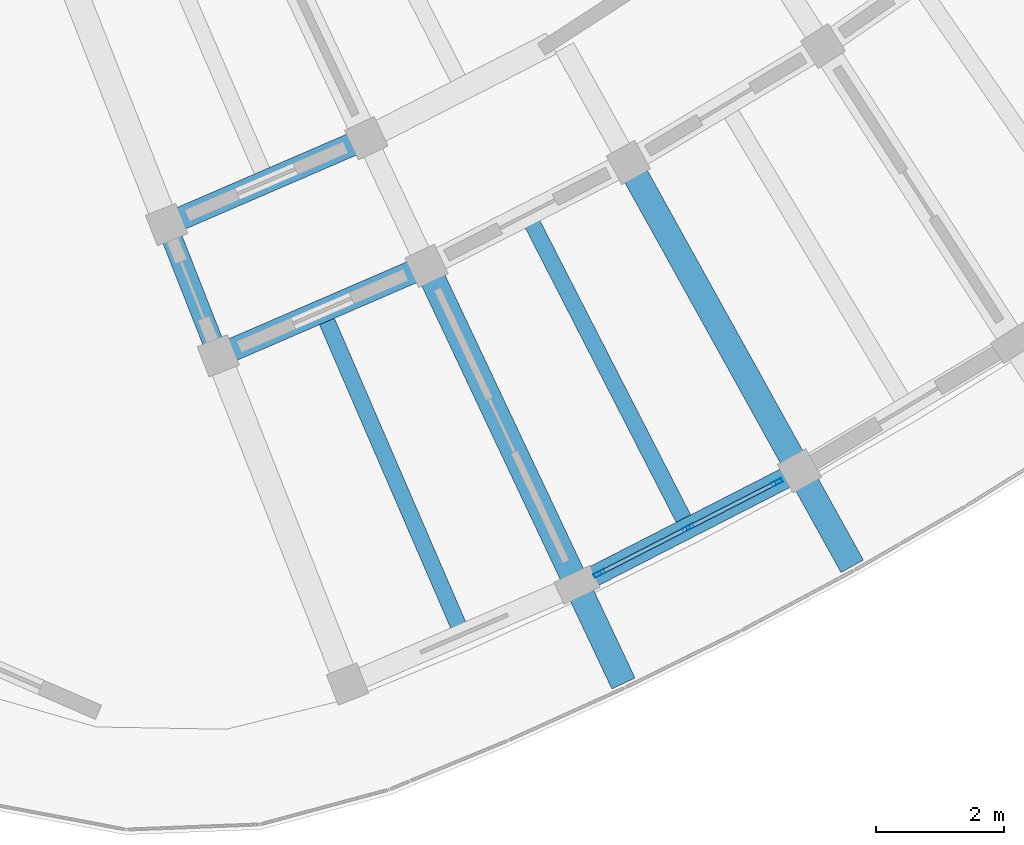
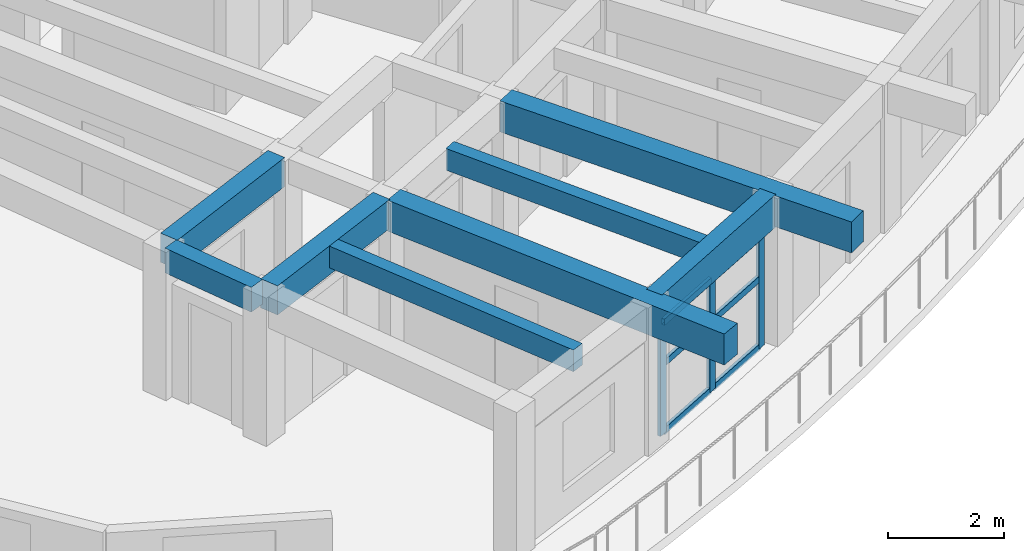
# One storey, part 20 of 83: 9 members, 8 beams, 1 element without a shape of its own.
"""IFC4 building model written with IfcOpenShell, lengths in metres."""

import ifcopenshell
import ifcopenshell.guid

model = None  # the IFC model being written
_history = None  # IfcOwnerHistory: only IFC2X3 demands one
_inside = {}  # id of a spatial element -> (the spatial element, [elements in it])
_under = {}  # id of a project, library or spatial element -> (it, [spatial elements below it])
_declared = {}  # id of a project -> (the project, [libraries it declares])
_typed = {}  # id of a type object -> (the type object, [elements of that type])
_made_of = {}  # id of a material, layer set ... -> (it, [elements and type objects made of it])


def new_model(schema):
    """Start an empty IFC model of exactly this schema.

    Asked for "IFC4X3", IfcOpenShell would pick the latest addendum, in which some entities
    have other attributes; the version numbers below select the first issue.
    IFC2X3 requires an IfcOwnerHistory on every rooted entity: one is made here for all.
    """
    global model, _history
    if schema == "IFC4X3":
        model = ifcopenshell.file(schema_version=(4, 3, 0, 0))
    else:
        model = ifcopenshell.file(schema=schema)
    _inside.clear()
    _under.clear()
    _declared.clear()
    _typed.clear()
    _made_of.clear()
    _history = None
    if model.schema == "IFC2X3":
        org = make("IfcOrganization", Name="unknown")
        user = make(
            "IfcPersonAndOrganization",
            ThePerson=make("IfcPerson", FamilyName="unknown"),
            TheOrganization=org,
        )
        app = make(
            "IfcApplication",
            ApplicationDeveloper=org,
            Version="unknown",
            ApplicationFullName="unknown",
            ApplicationIdentifier="unknown",
        )
        _history = make(
            "IfcOwnerHistory",
            OwningUser=user,
            OwningApplication=app,
            ChangeAction="ADDED",
            CreationDate=0,
        )
    return model


def make(cls, **values):
    """One entity of the class cls with the attributes given. An attribute that is None is left unset."""
    return model.create_entity(
        cls, **{name: value for name, value in values.items() if value is not None}
    )


def rooted(cls, **values):
    """An entity with a GlobalId (a new one), such as an element, a storey or a relation."""
    return make(cls, GlobalId=ifcopenshell.guid.new(), OwnerHistory=_history, **values)


def si_unit(unit_type, name, prefix=None):
    """IfcSIUnit, for example si_unit("LENGTHUNIT", "METRE", prefix="MILLI")."""
    return make("IfcSIUnit", UnitType=unit_type, Prefix=prefix, Name=name)


def assignment(units):
    """IfcUnitAssignment: the units of a project."""
    return None if units is None else make("IfcUnitAssignment", Units=units)


def point(xyz):
    """IfcCartesianPoint."""
    return None if xyz is None else make("IfcCartesianPoint", Coordinates=xyz)


def direction(xyz):
    """IfcDirection."""
    return None if xyz is None else make("IfcDirection", DirectionRatios=xyz)


def frame(location, z_axis=None, x_axis=None):
    """IfcAxis2Placement3D, a coordinate frame: its origin and axes. An axis left out is left unset."""
    return make(
        "IfcAxis2Placement3D",
        Location=point(location),
        Axis=direction(z_axis),
        RefDirection=direction(x_axis),
    )


def frame_2d(location, x_axis=None):
    """IfcAxis2Placement2D, a coordinate frame in the plane: its origin and x axis."""
    return make(
        "IfcAxis2Placement2D", Location=point(location), RefDirection=direction(x_axis)
    )


def origin():
    """The frame at (0, 0, 0) with its axes left unset."""
    return frame((0.0, 0.0, 0.0))


def origin_2d():
    """The frame at (0, 0) in the plane with its x axis left unset."""
    return frame_2d((0.0, 0.0))


def place(relative_to, where):
    """IfcLocalPlacement: puts the frame where relative to a parent placement (None: the world)."""
    return make(
        "IfcLocalPlacement", PlacementRelTo=relative_to, RelativePlacement=where
    )


def context(
    kind, dimensions, precision=None, world=None, true_north=None, identifier=None
):
    """IfcGeometricRepresentationContext, for example the 3D "Model" context."""
    return make(
        "IfcGeometricRepresentationContext",
        ContextIdentifier=identifier,
        ContextType=kind,
        CoordinateSpaceDimension=dimensions,
        Precision=precision,
        WorldCoordinateSystem=world,
        TrueNorth=true_north,
    )


def subcontext(parent, identifier, kind, view, scale=None):
    """IfcGeometricRepresentationSubContext, for example "Body" below "Model"."""
    return make(
        "IfcGeometricRepresentationSubContext",
        ContextIdentifier=identifier,
        ContextType=kind,
        ParentContext=parent,
        TargetScale=scale,
        TargetView=view,
    )


def project(units=None, contexts=None):
    """IfcProject with its units and contexts."""
    return rooted(
        "IfcProject",
        Name="project",
        RepresentationContexts=contexts,
        UnitsInContext=assignment(units),
    )


def spatial(cls, under=None, at=None, **own):
    """A site, building, storey or space (cls), placed at a placement, below another one or the project."""
    s = rooted(cls, ObjectPlacement=at, **own)
    if under is not None:
        _under.setdefault(under.id(), (under, []))[1].append(s)
    return s


def profile(cls, at=None, kind="AREA", **sizes):
    """A parametric profile (cls). Its sizes go by their IFC names, for example OverallWidth=200.0."""
    return make(cls, ProfileType=kind, Position=at, **sizes)


def rectangle(**sizes):
    """IfcRectangleProfileDef."""
    return profile("IfcRectangleProfileDef", **sizes)


def hollow_rectangle(**sizes):
    """IfcRectangleHollowProfileDef."""
    return profile("IfcRectangleHollowProfileDef", **sizes)


def extrude(swept, where, along, depth):
    """IfcExtrudedAreaSolid: the profile swept, set in the frame where, extruded along a direction by depth."""
    return make(
        "IfcExtrudedAreaSolid",
        SweptArea=swept,
        Position=where,
        ExtrudedDirection=direction(along),
        Depth=depth,
    )


def shape(context_of_items, identifier, shape_type, items):
    """IfcShapeRepresentation: the items that make up one representation, for example the "Body"."""
    return make(
        "IfcShapeRepresentation",
        ContextOfItems=context_of_items,
        RepresentationIdentifier=identifier,
        RepresentationType=shape_type,
        Items=items,
    )


def material(Name=None, Category=None):
    """IfcMaterial."""
    return make("IfcMaterial", Name=Name, Category=Category)


def material_profile(
    of_material, cross_section, Name=None, Category=None, Priority=None
):
    """IfcMaterialProfile: a cross section and its material."""
    return make(
        "IfcMaterialProfile",
        Name=Name,
        Material=of_material,
        Profile=cross_section,
        Priority=Priority,
        Category=Category,
    )


def profile_set(profiles, Name=None, composite=None):
    """IfcMaterialProfileSet."""
    return make(
        "IfcMaterialProfileSet",
        Name=Name,
        MaterialProfiles=profiles,
        CompositeProfile=composite,
    )


def made_of(thing, what):
    """Note that an element or type object is made of a material, layer set ...; save() writes the relation."""
    if what is not None:
        _made_of.setdefault(what.id(), (what, []))[1].append(thing)
    return thing


def type_object(cls, material=None, **own):
    """A type object (cls), such as IfcWallType, which elements share."""
    return made_of(rooted(cls, **own), material)


def element(
    cls,
    number,
    at=None,
    inside=None,
    cuts=None,
    type_object=None,
    material=None,
    context=None,
    identifier="Body",
    shape_type=None,
    held_by="IfcProductDefinitionShape",
    body=None,
    shapes=None,
    **own,
):
    """One element of the class cls, such as IfcWall. Its Tag is "e" and its number.

    at: its placement. inside: the storey or other place that contains it. cuts: it is an
    opening in that element (IfcRelVoidsElement). A single representation is given by context,
    identifier, shape_type and body (its items); several are given by shapes. held_by: the class
    of the entity that holds the representations. save() writes the other relations.
    """
    e = rooted(cls, Tag="e%d" % number, ObjectPlacement=at, **own)
    if body is not None:
        shapes = [shape(context, identifier, shape_type, body)]
    if shapes is not None:
        e.Representation = make(held_by, Representations=shapes)
    if inside is not None:
        _inside.setdefault(inside.id(), (inside, []))[1].append(e)
    if cuts is not None:
        rooted(
            "IfcRelVoidsElement", RelatingBuildingElement=cuts, RelatedOpeningElement=e
        )
    if type_object is not None:
        _typed.setdefault(type_object.id(), (type_object, []))[1].append(e)
    return made_of(e, material)


def aggregate(whole, parts):
    """IfcRelAggregates: a whole, such as a stair, and the parts it consists of."""
    return rooted("IfcRelAggregates", RelatingObject=whole, RelatedObjects=parts)


def save(model, path):
    """Write the relations noted so far, then the file.

    IfcRelAggregates (storeys below a building ...), IfcRelContainedInSpatialStructure (elements
    in a storey), IfcRelDefinesByType, IfcRelAssociatesMaterial and IfcRelDeclares: one each for
    every whole, place, type object, material and project.
    """
    for whole, parts in _under.values():
        aggregate(whole, parts)
    for where, things in _inside.values():
        rooted(
            "IfcRelContainedInSpatialStructure",
            RelatedElements=things,
            RelatingStructure=where,
        )
    for kind, things in _typed.values():
        rooted("IfcRelDefinesByType", RelatedObjects=things, RelatingType=kind)
    for what, things in _made_of.values():
        rooted("IfcRelAssociatesMaterial", RelatedObjects=things, RelatingMaterial=what)
    for by, libraries in _declared.values():
        rooted("IfcRelDeclares", RelatingContext=by, RelatedDefinitions=libraries)
    model.write(path)


model = new_model("IFC4")

# Units and contexts
model_context = context("Model", 3, precision=1e-05, world=origin(), true_north=direction((0.0, 1.0)))
body_context = subcontext(model_context, "Body", "Model", "MODEL_VIEW")
ifc_project = project(units=[si_unit("LENGTHUNIT", "METRE"), si_unit("AREAUNIT", "SQUARE_METRE"), si_unit("VOLUMEUNIT", "CUBIC_METRE"), si_unit("PLANEANGLEUNIT", "RADIAN"), si_unit("MASSUNIT", "GRAM", prefix="KILO")], contexts=[model_context])

# Site, building, storey
site_placement = place(None, origin())
site = spatial("IfcSite", under=ifc_project, at=site_placement, CompositionType="ELEMENT")
building_placement = place(site_placement, origin())
building = spatial("IfcBuilding", under=site, at=building_placement, Name="Tanwirah Colonnade Gardens", CompositionType="ELEMENT")
storey_placement = place(building_placement, frame((0.0, 0.0, 25.639892578125)))
storey = spatial("IfcBuildingStorey", under=building, at=storey_placement, Name="L07", CompositionType="ELEMENT", Elevation=25.639892578125)

# Beams
ifc_material_1 = material(Name="Precast concrete C40/50", Category="concrete")
ifc_material_profile_1 = material_profile(ifc_material_1, rectangle(XDim=0.360107421875, YDim=0.610107421875, at=origin_2d()), Name="PC-BM 360x610")
ifc_profile_set_1 = profile_set([ifc_material_profile_1], Name="Precast concrete C40/50")
beam_type_1 = type_object("IfcBeamType", Name="BM-PC300", PredefinedType="BEAM", material=ifc_profile_set_1)
beam_1_placement = place(storey_placement, frame((140.140869140625, 16.3173828125, 2.80517578125), z_axis=(0.917936292782, 0.396727819032, 0.0), x_axis=(-0.396727819032, 0.917936292782, 0.0)))
element("IfcBeam", 1, at=beam_1_placement, inside=storey, type_object=beam_type_1, Name="Block D L07 Circumferential Beam 2-R1", PredefinedType="BEAM", context=body_context, shape_type="SweptSolid", body=[
    extrude(rectangle(XDim=0.360107421875, YDim=0.610107421875, at=origin_2d()), origin(), (0.0, 0.0, 1.0), 3.093017578125),
])
beam_2_placement = place(storey_placement, frame((140.947021484375, 14.2705078125, 2.80517578125), z_axis=(0.917943156181, 0.396711938338, 0.0), x_axis=(-0.396711938338, 0.917943156181, 0.0)))
element("IfcBeam", 2, at=beam_2_placement, inside=storey, type_object=beam_type_1, Name="Block D L07 Circumferential Beam 2-R2", PredefinedType="BEAM", context=body_context, shape_type="SweptSolid", body=[
    extrude(rectangle(XDim=0.360107421875, YDim=0.610107421875, at=origin_2d()), origin(), (0.0, 0.0, 1.0), 3.237060546875),
])
ifc_material_profile_2 = material_profile(ifc_material_1, rectangle(XDim=0.320068359375, YDim=0.52001953125, at=origin_2d()), Name="PC-BM 320x520")
ifc_profile_set_2 = profile_set([ifc_material_profile_2], Name="Precast concrete C40/50")
beam_type_2 = type_object("IfcBeamType", Name="BM-PC320", PredefinedType="BEAM", material=ifc_profile_set_2)
beam_3_placement = place(storey_placement, frame((140.05810546875, 16.1181640625, 2.85009765625), z_axis=(0.366511033969, -0.930413704746, 0.0), x_axis=(0.930413704746, 0.366511033969, 0.0)))
element("IfcBeam", 3, at=beam_3_placement, inside=storey, type_object=beam_type_2, Name="Block D L07 Corridor Tie Beam 2", PredefinedType="BEAM", context=body_context, shape_type="SweptSolid", body=[
    extrude(rectangle(XDim=0.320068359375, YDim=0.52001953125, at=origin_2d()), origin(), (0.0, 0.0, 1.0), 1.899658203125),
])
ifc_material_2 = material(Name="Precast concrete C45/55", Category="concrete")
ifc_material_profile_3 = material_profile(ifc_material_2, rectangle(XDim=0.39990234375, YDim=0.64990234375, at=origin_2d()), Name="PC-BM 400x650")
ifc_profile_set_3 = profile_set([ifc_material_profile_3], Name="Precast concrete C45/55")
beam_type_3 = type_object("IfcBeamType", Name="BM-PC400", PredefinedType="BEAM", material=ifc_profile_set_3)
beam_4_placement = place(storey_placement, frame((144.1201171875, 15.478515625, 2.78515625), z_axis=(0.426567365945, -0.904455793453, 0.0), x_axis=(0.904455793453, 0.426567365945, 0.0)))
element("IfcBeam", 4, at=beam_4_placement, inside=storey, type_object=beam_type_3, Name="Block D L07 Outer Radial Precast Girder 3", PredefinedType="BEAM", context=body_context, shape_type="SweptSolid", body=[
    extrude(rectangle(XDim=0.39990234375, YDim=0.64990234375, at=origin_2d()), origin(), (0.0, 0.0, 1.0), 7.050048828125),
])
beam_5_placement = place(storey_placement, frame((147.276611328125, 17.095703125, 2.78515625), z_axis=(0.484804753745, -0.874622404667, 0.0), x_axis=(0.874622404667, 0.484804753745, 0.0)))
element("IfcBeam", 5, at=beam_5_placement, inside=storey, type_object=beam_type_3, Name="Block D L07 Outer Radial Precast Girder 4", PredefinedType="BEAM", context=body_context, shape_type="SweptSolid", body=[
    extrude(rectangle(XDim=0.39990234375, YDim=0.64990234375, at=origin_2d()), origin(), (0.0, 0.0, 1.0), 7.05029296875),
])

# Curtain wall, members
ifc_material_3 = material(Name="Bronze-anodised aluminium and solar-control low-E glass", Category="aluminium")
curtain_wall_type = type_object("IfcCurtainWallType", Name="CW-LOB", PredefinedType="NOTDEFINED", material=ifc_material_3)
curtain_wall_placement = place(storey_placement, origin())
curtain_wall = element("IfcCurtainWall", 6, at=curtain_wall_placement, inside=storey, type_object=curtain_wall_type, Name="Curtain Wall CW-D-L07-OUT-03", PredefinedType="NOTDEFINED")
ifc_material_4 = material(Name="Bronze-anodised aluminium", Category="aluminium")
ifc_material_profile_4 = material_profile(ifc_material_4, hollow_rectangle(XDim=0.06494140625, YDim=0.179931640625, WallThickness=0.00390625, at=origin_2d()), Name="CW-MUL 65x180x4")
ifc_profile_set_4 = profile_set([ifc_material_profile_4], Name="Bronze-anodised aluminium")
member_type_1 = type_object("IfcMemberType", Name="CWM-65x180", PredefinedType="MULLION", material=ifc_profile_set_4)
member_1_placement = place(storey_placement, frame((146.75146484375, 10.818603515625, 0.0), z_axis=(0.0, 0.0, 1.0), x_axis=(-0.455932978269, 0.890014111869, 0.0)))
member_1 = element("IfcMember", 7, at=member_1_placement, type_object=member_type_1, Name="CW-LOB mullion 1", PredefinedType="MULLION", context=body_context, shape_type="SweptSolid", body=[
    extrude(hollow_rectangle(XDim=0.06494140625, YDim=0.179931640625, WallThickness=0.00390625, at=origin_2d()), origin(), (0.0, 0.0, 1.0), 2.355224609375),
])
member_2_placement = place(storey_placement, frame((148.13623046875, 11.528076171875, 0.0), z_axis=(0.0, 0.0, 1.0), x_axis=(-0.455932978269, 0.890014111869, 0.0)))
member_2 = element("IfcMember", 8, at=member_2_placement, type_object=member_type_1, Name="CW-LOB mullion 2", PredefinedType="MULLION", context=body_context, shape_type="SweptSolid", body=[
    extrude(hollow_rectangle(XDim=0.06494140625, YDim=0.179931640625, WallThickness=0.00390625, at=origin_2d()), origin(), (0.0, 0.0, 1.0), 2.355224609375),
])
member_3_placement = place(storey_placement, frame((149.52099609375, 12.237548828125, 0.0), z_axis=(0.0, 0.0, 1.0), x_axis=(-0.455932978269, 0.890014111869, 0.0)))
member_3 = element("IfcMember", 9, at=member_3_placement, type_object=member_type_1, Name="CW-LOB mullion 3", PredefinedType="MULLION", context=body_context, shape_type="SweptSolid", body=[
    extrude(hollow_rectangle(XDim=0.06494140625, YDim=0.179931640625, WallThickness=0.00390625, at=origin_2d()), origin(), (0.0, 0.0, 1.0), 2.355224609375),
])
ifc_material_profile_5 = material_profile(ifc_material_4, hollow_rectangle(XDim=0.06494140625, YDim=0.135009765625, WallThickness=0.00390625, at=origin_2d()), Name="CW-TRN 65x135x4")
ifc_profile_set_5 = profile_set([ifc_material_profile_5], Name="Bronze-anodised aluminium")
member_type_2 = type_object("IfcMemberType", Name="CWT-65x135", PredefinedType="USERDEFINED", material=ifc_profile_set_5)
member_4_placement = place(storey_placement, frame((146.780517578125, 10.83349609375, 0.03271484375), z_axis=(0.890028778916, 0.455904345999, 0.0), x_axis=(-0.455904345999, 0.890028778916, 0.0)))
member_4 = element("IfcMember", 10, at=member_4_placement, type_object=member_type_2, Name="CW-LOB transom 1.1", ObjectType="TRANSOM", PredefinedType="USERDEFINED", context=body_context, shape_type="SweptSolid", body=[
    extrude(hollow_rectangle(XDim=0.06494140625, YDim=0.135009765625, WallThickness=0.00390625, at=origin_2d()), origin(), (0.0, 0.0, 1.0), 1.490966796875),
])
member_5_placement = place(storey_placement, frame((146.780517578125, 10.83349609375, 1.460205078125), z_axis=(0.890028778916, 0.455904345999, 0.0), x_axis=(-0.455904345999, 0.890028778916, 0.0)))
member_5 = element("IfcMember", 11, at=member_5_placement, type_object=member_type_2, Name="CW-LOB transom 1.2", ObjectType="TRANSOM", PredefinedType="USERDEFINED", context=body_context, shape_type="SweptSolid", body=[
    extrude(hollow_rectangle(XDim=0.06494140625, YDim=0.135009765625, WallThickness=0.00390625, at=origin_2d()), origin(), (0.0, 0.0, 1.0), 1.490966796875),
])
member_6_placement = place(storey_placement, frame((146.780517578125, 10.83349609375, 2.322509765625), z_axis=(0.890028778916, 0.455904345999, 0.0), x_axis=(-0.455904345999, 0.890028778916, 0.0)))
member_6 = element("IfcMember", 12, at=member_6_placement, type_object=member_type_2, Name="CW-LOB transom 1.3", ObjectType="TRANSOM", PredefinedType="USERDEFINED", context=body_context, shape_type="SweptSolid", body=[
    extrude(hollow_rectangle(XDim=0.06494140625, YDim=0.135009765625, WallThickness=0.00390625, at=origin_2d()), origin(), (0.0, 0.0, 1.0), 1.490966796875),
])
member_7_placement = place(storey_placement, frame((148.165283203125, 11.54296875, 0.03271484375), z_axis=(0.890028778916, 0.455904345999, 0.0), x_axis=(-0.455904345999, 0.890028778916, 0.0)))
member_7 = element("IfcMember", 13, at=member_7_placement, type_object=member_type_2, Name="CW-LOB transom 2.1", ObjectType="TRANSOM", PredefinedType="USERDEFINED", context=body_context, shape_type="SweptSolid", body=[
    extrude(hollow_rectangle(XDim=0.06494140625, YDim=0.135009765625, WallThickness=0.00390625, at=origin_2d()), origin(), (0.0, 0.0, 1.0), 1.490966796875),
])
member_8_placement = place(storey_placement, frame((148.165283203125, 11.54296875, 1.460205078125), z_axis=(0.890028778916, 0.455904345999, 0.0), x_axis=(-0.455904345999, 0.890028778916, 0.0)))
member_8 = element("IfcMember", 14, at=member_8_placement, type_object=member_type_2, Name="CW-LOB transom 2.2", ObjectType="TRANSOM", PredefinedType="USERDEFINED", context=body_context, shape_type="SweptSolid", body=[
    extrude(hollow_rectangle(XDim=0.06494140625, YDim=0.135009765625, WallThickness=0.00390625, at=origin_2d()), origin(), (0.0, 0.0, 1.0), 1.490966796875),
])
member_9_placement = place(storey_placement, frame((148.165283203125, 11.54296875, 2.322509765625), z_axis=(0.890028778916, 0.455904345999, 0.0), x_axis=(-0.455904345999, 0.890028778916, 0.0)))
member_9 = element("IfcMember", 15, at=member_9_placement, type_object=member_type_2, Name="CW-LOB transom 2.3", ObjectType="TRANSOM", PredefinedType="USERDEFINED", context=body_context, shape_type="SweptSolid", body=[
    extrude(hollow_rectangle(XDim=0.06494140625, YDim=0.135009765625, WallThickness=0.00390625, at=origin_2d()), origin(), (0.0, 0.0, 1.0), 1.490966796875),
])
aggregate(curtain_wall, [member_1, member_2, member_3, member_4, member_5, member_6, member_7, member_8, member_9])

# Beams
ifc_material_profile_6 = material_profile(ifc_material_1, rectangle(XDim=0.2548828125, YDim=0.455078125, at=origin_2d()), Name="PC-JST 255x455")
ifc_profile_set_6 = profile_set([ifc_material_profile_6], Name="Precast concrete C40/50")
beam_type_4 = type_object("IfcBeamType", Name="JST-PC240", PredefinedType="JOIST", material=ifc_profile_set_6)
for number, where, z_axis, x_axis, name in (
    (16, (142.49169921875, 14.77587890625, 2.882568359375), (0.396746282, -0.917928312952, 0.0), (0.917928312952, 0.396746282, 0.0), "Block D L07 Precast Floor Joist 2"),
    (17, (145.697998046875, 16.287841796875, 2.882568359375), (0.455936851617, -0.890012127635, 0.0), (0.890012127635, 0.455936851617, 0.0), "Block D L07 Precast Floor Joist 3"),
):
    element("IfcBeam", number, at=place(storey_placement, frame(where, z_axis=z_axis, x_axis=x_axis)), inside=storey, type_object=beam_type_4, Name=name, PredefinedType="JOIST", context=body_context, shape_type="SweptSolid", body=[
        extrude(rectangle(XDim=0.2548828125, YDim=0.455078125, at=origin_2d()), origin(), (0.0, 0.0, 1.0), 5.260009765625),
    ])
ifc_material_profile_7 = material_profile(ifc_material_1, rectangle(XDim=0.324951171875, YDim=0.68505859375, at=origin_2d()), Name="PC-SP 325x685")
ifc_profile_set_7 = profile_set([ifc_material_profile_7], Name="Precast concrete C40/50")
beam_type_5 = type_object("IfcBeamType", Name="SP-PC260", PredefinedType="SPANDREL", material=ifc_profile_set_7)
beam_6_placement = place(storey_placement, frame((146.53564453125, 10.7080078125, 2.767578125), z_axis=(0.890013134589, 0.455934885985, 0.0), x_axis=(-0.455934885985, 0.890013134589, 0.0)))
element("IfcBeam", 18, at=beam_6_placement, inside=storey, type_object=beam_type_5, Name="Block D L07 Circumferential Beam 3-R3", PredefinedType="SPANDREL", context=body_context, shape_type="SweptSolid", body=[
    extrude(rectangle(XDim=0.324951171875, YDim=0.68505859375, at=origin_2d()), origin(), (0.0, 0.0, 1.0), 3.5966796875),
])

save(model, "model.ifc")
